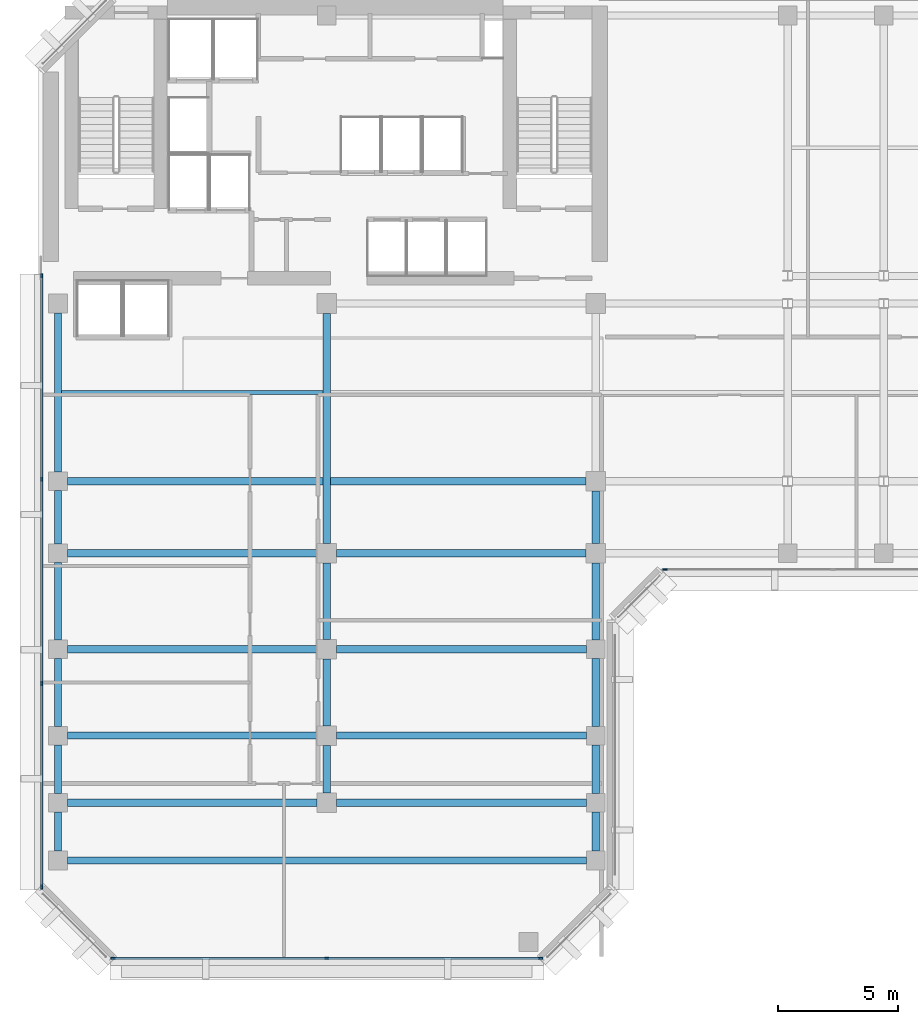
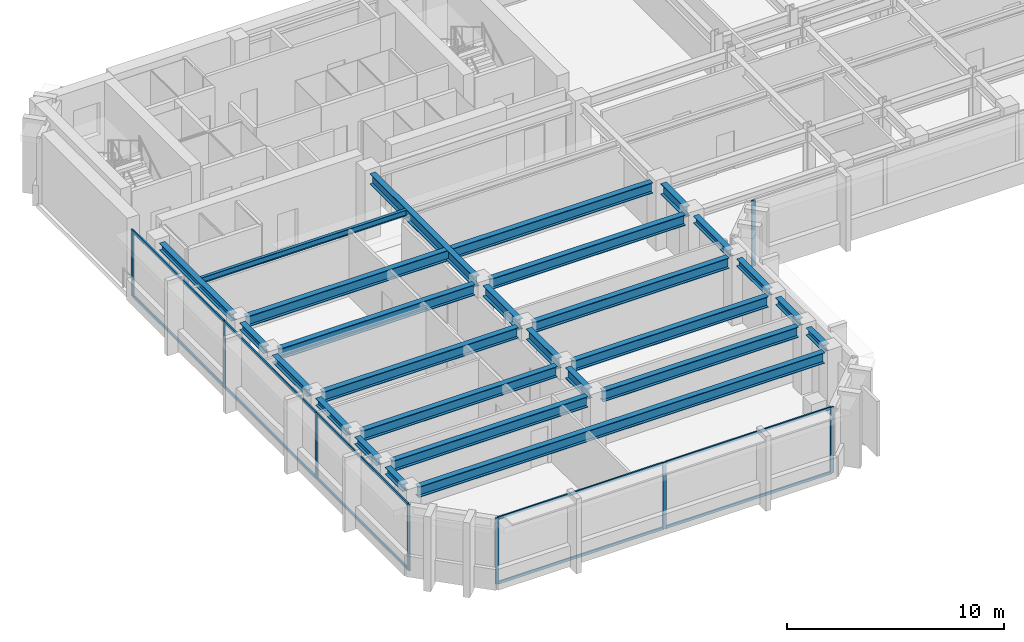
# One storey, part 2 of 12: 26 beams, 18 members, 3 elements without a shape of their own.
"""IFC4 building model written with IfcOpenShell, lengths in metres."""

from ifc_helpers import new_model, si_unit, direction, frame, origin, origin_2d, place, context, subcontext, project, spatial, rectangle, i_section, extrude, material, layer, layer_set, material_profile, profile_set, type_object, element, aggregate, save


model = new_model("IFC4")

# Units and contexts
model_context = context("Model", 3, precision=1e-05, world=origin(), true_north=direction((0.0, 1.0)))
body_context = subcontext(model_context, "Body", "Model", "MODEL_VIEW")
ifc_project = project(units=[si_unit("LENGTHUNIT", "METRE"), si_unit("AREAUNIT", "SQUARE_METRE"), si_unit("VOLUMEUNIT", "CUBIC_METRE"), si_unit("PLANEANGLEUNIT", "RADIAN"), si_unit("MASSUNIT", "GRAM", prefix="KILO")], contexts=[model_context])

# Site, building, storey
site_placement = place(None, origin())
site = spatial("IfcSite", under=ifc_project, at=site_placement, CompositionType="ELEMENT")
building_placement = place(site_placement, origin())
building = spatial("IfcBuilding", under=site, at=building_placement, Name="Kefirva Bronze Tower", CompositionType="ELEMENT")
storey_placement = place(building_placement, frame((0.0, 0.0, 207.239990234375)))
storey = spatial("IfcBuildingStorey", under=building, at=storey_placement, Name="L50", CompositionType="ELEMENT", Elevation=207.239990234375)

# Curtain wall, members
ifc_material_1 = material(Name="Bronze anodised aluminium", Category="aluminium")
ifc_layer = layer(ifc_material_1, 0.179931640625, Name="Bronze anodised aluminium")
ifc_layer_set = layer_set([ifc_layer], Name="Bronze anodised aluminium")
curtain_wall_type = type_object("IfcCurtainWallType", Name="Unitised Bronze Ribbon Curtain Wall Zone 3", PredefinedType="USERDEFINED", material=ifc_layer_set)
curtain_wall_1_placement = place(storey_placement, origin())
curtain_wall_1 = element("IfcCurtainWall", 1, at=curtain_wall_1_placement, inside=storey, type_object=curtain_wall_type, Name="L50 Curtain Wall 1", ObjectType="UNITISED CURTAIN WALL", PredefinedType="USERDEFINED")
ifc_material_profile_1 = material_profile(ifc_material_1, rectangle(XDim=0.074951171875, YDim=0.179931640625, at=origin_2d()), Name="ALU 75x180")
ifc_profile_set_1 = profile_set([ifc_material_profile_1], Name="Bronze anodised aluminium")
member_type_1 = type_object("IfcMemberType", Name="Bronze Mullion 75x180", PredefinedType="MULLION", material=ifc_profile_set_1)
member_1_placement = place(storey_placement, frame((3.092529296875, 5.919921875, 0.0), z_axis=(0.0, 0.0, 1.0), x_axis=(0.0, 1.0, 0.0)))
member_1 = element("IfcMember", 2, at=member_1_placement, type_object=member_type_1, Name="CW-03 mullion 1", PredefinedType="MULLION", context=body_context, shape_type="SweptSolid", body=[
    extrude(rectangle(XDim=0.074951171875, YDim=0.179931640625, at=origin_2d()), origin(), (0.0, 0.0, 1.0), 3.7099609375),
])
member_2_placement = place(storey_placement, frame((12.0, 5.919921875, 0.0), z_axis=(0.0, 0.0, 1.0), x_axis=(0.0, 1.0, 0.0)))
member_2 = element("IfcMember", 3, at=member_2_placement, type_object=member_type_1, Name="CW-03 mullion 2", PredefinedType="MULLION", context=body_context, shape_type="SweptSolid", body=[
    extrude(rectangle(XDim=0.074951171875, YDim=0.179931640625, at=origin_2d()), origin(), (0.0, 0.0, 1.0), 3.7099609375),
])
member_3_placement = place(storey_placement, frame((20.907470703125, 5.919921875, 0.0), z_axis=(0.0, 0.0, 1.0), x_axis=(0.0, 1.0, 0.0)))
member_3 = element("IfcMember", 4, at=member_3_placement, type_object=member_type_1, Name="CW-03 mullion 3", PredefinedType="MULLION", context=body_context, shape_type="SweptSolid", body=[
    extrude(rectangle(XDim=0.074951171875, YDim=0.179931640625, at=origin_2d()), origin(), (0.0, 0.0, 1.0), 3.7099609375),
])

# Curtain wall, member
curtain_wall_2_placement = place(storey_placement, origin())
curtain_wall_2 = element("IfcCurtainWall", 5, at=curtain_wall_2_placement, inside=storey, type_object=curtain_wall_type, Name="L50 Curtain Wall 2", ObjectType="UNITISED CURTAIN WALL", PredefinedType="USERDEFINED")
member_4_placement = place(storey_placement, frame((26.092529296875, 22.1201171875, 0.0), z_axis=(0.0, 0.0, 1.0), x_axis=(0.0, 1.0, 0.0)))
member_4 = element("IfcMember", 6, at=member_4_placement, type_object=member_type_1, Name="CW-03 mullion 1", PredefinedType="MULLION", context=body_context, shape_type="SweptSolid", body=[
    extrude(rectangle(XDim=0.074951171875, YDim=0.179931640625, at=origin_2d()), origin(), (0.0, 0.0, 1.0), 3.7099609375),
])
aggregate(curtain_wall_2, [member_4])

# Curtain wall, members
curtain_wall_3_placement = place(storey_placement, origin())
curtain_wall_3 = element("IfcCurtainWall", 7, at=curtain_wall_3_placement, inside=storey, type_object=curtain_wall_type, Name="L50 Curtain Wall 5", ObjectType="UNITISED CURTAIN WALL", PredefinedType="USERDEFINED")
member_5_placement = place(storey_placement, frame((0.1201171875, 34.357421875, 0.0), z_axis=(0.0, 0.0, 1.0), x_axis=(1.0, 0.0, 0.0)))
member_5 = element("IfcMember", 8, at=member_5_placement, type_object=member_type_1, Name="CW-03 mullion 1", PredefinedType="MULLION", context=body_context, shape_type="SweptSolid", body=[
    extrude(rectangle(XDim=0.074951171875, YDim=0.179931640625, at=origin_2d()), origin(), (0.0, 0.0, 1.0), 3.7099609375),
])
member_6_placement = place(storey_placement, frame((0.1201171875, 25.881591796875, 0.0), z_axis=(0.0, 0.0, 1.0), x_axis=(1.0, 0.0, 0.0)))
member_6 = element("IfcMember", 9, at=member_6_placement, type_object=member_type_1, Name="CW-03 mullion 2", PredefinedType="MULLION", context=body_context, shape_type="SweptSolid", body=[
    extrude(rectangle(XDim=0.074951171875, YDim=0.179931640625, at=origin_2d()), origin(), (0.0, 0.0, 1.0), 3.7099609375),
])
member_7_placement = place(storey_placement, frame((0.1201171875, 17.368408203125, 0.0), z_axis=(0.0, 0.0, 1.0), x_axis=(1.0, 0.0, 0.0)))
member_7 = element("IfcMember", 10, at=member_7_placement, type_object=member_type_1, Name="CW-03 mullion 3", PredefinedType="MULLION", context=body_context, shape_type="SweptSolid", body=[
    extrude(rectangle(XDim=0.074951171875, YDim=0.179931640625, at=origin_2d()), origin(), (0.0, 0.0, 1.0), 3.7099609375),
])
member_8_placement = place(storey_placement, frame((0.1201171875, 8.892578125, 0.0), z_axis=(0.0, 0.0, 1.0), x_axis=(1.0, 0.0, 0.0)))
member_8 = element("IfcMember", 11, at=member_8_placement, type_object=member_type_1, Name="CW-03 mullion 4", PredefinedType="MULLION", context=body_context, shape_type="SweptSolid", body=[
    extrude(rectangle(XDim=0.074951171875, YDim=0.179931640625, at=origin_2d()), origin(), (0.0, 0.0, 1.0), 3.7099609375),
])

# Member
ifc_material_profile_2 = material_profile(ifc_material_1, rectangle(XDim=0.074951171875, YDim=0.14990234375, at=origin_2d()), Name="ALU 75x150")
ifc_profile_set_2 = profile_set([ifc_material_profile_2], Name="Bronze anodised aluminium")
member_type_2 = type_object("IfcMemberType", Name="Bronze Transom 75x150", PredefinedType="USERDEFINED", material=ifc_profile_set_2)
member_9_placement = place(storey_placement, frame((3.1298828125, 5.919921875, 0.03759765625), z_axis=(1.0, 0.0, 0.0), x_axis=(0.0, 1.0, 0.0)))
member_9 = element("IfcMember", 12, at=member_9_placement, type_object=member_type_2, Name="CW-03 transom 1.1", ObjectType="TRANSOM", PredefinedType="USERDEFINED", context=body_context, shape_type="SweptSolid", body=[
    extrude(rectangle(XDim=0.074951171875, YDim=0.14990234375, at=origin_2d()), origin(), (0.0, 0.0, 1.0), 8.83251953125),
])

member_10_placement = place(storey_placement, frame((3.1298828125, 5.919921875, 3.672607421875), z_axis=(1.0, 0.0, 0.0), x_axis=(0.0, 1.0, 0.0)))
member_10 = element("IfcMember", 13, at=member_10_placement, type_object=member_type_2, Name="CW-03 transom 1.2", ObjectType="TRANSOM", PredefinedType="USERDEFINED", context=body_context, shape_type="SweptSolid", body=[
    extrude(rectangle(XDim=0.074951171875, YDim=0.14990234375, at=origin_2d()), origin(), (0.0, 0.0, 1.0), 8.83251953125),
])

member_11_placement = place(storey_placement, frame((12.03759765625, 5.919921875, 0.03759765625), z_axis=(1.0, 0.0, 0.0), x_axis=(0.0, 1.0, 0.0)))
member_11 = element("IfcMember", 14, at=member_11_placement, type_object=member_type_2, Name="CW-03 transom 2.1", ObjectType="TRANSOM", PredefinedType="USERDEFINED", context=body_context, shape_type="SweptSolid", body=[
    extrude(rectangle(XDim=0.074951171875, YDim=0.14990234375, at=origin_2d()), origin(), (0.0, 0.0, 1.0), 8.83251953125),
])

member_12_placement = place(storey_placement, frame((12.03759765625, 5.919921875, 3.672607421875), z_axis=(1.0, 0.0, 0.0), x_axis=(0.0, 1.0, 0.0)))
member_12 = element("IfcMember", 15, at=member_12_placement, type_object=member_type_2, Name="CW-03 transom 2.2", ObjectType="TRANSOM", PredefinedType="USERDEFINED", context=body_context, shape_type="SweptSolid", body=[
    extrude(rectangle(XDim=0.074951171875, YDim=0.14990234375, at=origin_2d()), origin(), (0.0, 0.0, 1.0), 8.83251953125),
])

aggregate(curtain_wall_1, [member_1, member_2, member_3, member_9, member_10, member_11, member_12])

member_13_placement = place(storey_placement, frame((0.1201171875, 34.320068359375, 0.03759765625), z_axis=(0.0, -1.0, 0.0), x_axis=(1.0, 0.0, 0.0)))
member_13 = element("IfcMember", 16, at=member_13_placement, type_object=member_type_2, Name="CW-03 transom 1.1", ObjectType="TRANSOM", PredefinedType="USERDEFINED", context=body_context, shape_type="SweptSolid", body=[
    extrude(rectangle(XDim=0.074951171875, YDim=0.14990234375, at=origin_2d()), origin(), (0.0, 0.0, 1.0), 8.40087890625),
])

member_14_placement = place(storey_placement, frame((0.1201171875, 34.320068359375, 3.672607421875), z_axis=(0.0, -1.0, 0.0), x_axis=(1.0, 0.0, 0.0)))
member_14 = element("IfcMember", 17, at=member_14_placement, type_object=member_type_2, Name="CW-03 transom 1.2", ObjectType="TRANSOM", PredefinedType="USERDEFINED", context=body_context, shape_type="SweptSolid", body=[
    extrude(rectangle(XDim=0.074951171875, YDim=0.14990234375, at=origin_2d()), origin(), (0.0, 0.0, 1.0), 8.40087890625),
])

member_15_placement = place(storey_placement, frame((0.1201171875, 25.84423828125, 0.03759765625), z_axis=(0.0, -1.0, 0.0), x_axis=(1.0, 0.0, 0.0)))
member_15 = element("IfcMember", 18, at=member_15_placement, type_object=member_type_2, Name="CW-03 transom 2.1", ObjectType="TRANSOM", PredefinedType="USERDEFINED", context=body_context, shape_type="SweptSolid", body=[
    extrude(rectangle(XDim=0.074951171875, YDim=0.14990234375, at=origin_2d()), origin(), (0.0, 0.0, 1.0), 8.4384765625),
])

member_16_placement = place(storey_placement, frame((0.1201171875, 25.84423828125, 3.672607421875), z_axis=(0.0, -1.0, 0.0), x_axis=(1.0, 0.0, 0.0)))
member_16 = element("IfcMember", 19, at=member_16_placement, type_object=member_type_2, Name="CW-03 transom 2.2", ObjectType="TRANSOM", PredefinedType="USERDEFINED", context=body_context, shape_type="SweptSolid", body=[
    extrude(rectangle(XDim=0.074951171875, YDim=0.14990234375, at=origin_2d()), origin(), (0.0, 0.0, 1.0), 8.4384765625),
])

member_17_placement = place(storey_placement, frame((0.1201171875, 17.330810546875, 0.03759765625), z_axis=(0.0, -1.0, 0.0), x_axis=(1.0, 0.0, 0.0)))
member_17 = element("IfcMember", 20, at=member_17_placement, type_object=member_type_2, Name="CW-03 transom 3.1", ObjectType="TRANSOM", PredefinedType="USERDEFINED", context=body_context, shape_type="SweptSolid", body=[
    extrude(rectangle(XDim=0.074951171875, YDim=0.14990234375, at=origin_2d()), origin(), (0.0, 0.0, 1.0), 8.40087890625),
])

member_18_placement = place(storey_placement, frame((0.1201171875, 17.330810546875, 3.672607421875), z_axis=(0.0, -1.0, 0.0), x_axis=(1.0, 0.0, 0.0)))
member_18 = element("IfcMember", 21, at=member_18_placement, type_object=member_type_2, Name="CW-03 transom 3.2", ObjectType="TRANSOM", PredefinedType="USERDEFINED", context=body_context, shape_type="SweptSolid", body=[
    extrude(rectangle(XDim=0.074951171875, YDim=0.14990234375, at=origin_2d()), origin(), (0.0, 0.0, 1.0), 8.40087890625),
])

aggregate(curtain_wall_3, [member_5, member_6, member_7, member_8, member_13, member_14, member_15, member_16, member_17, member_18])

# Beams
ifc_material_2 = material(Name="Steel S355", Category="steel")
ifc_material_profile_3 = material_profile(ifc_material_2, i_section(OverallWidth=0.159912109375, OverallDepth=0.330078125, WebThickness=0.007568359375, FlangeThickness=0.011474609375, at=origin_2d()), Name="IPE 330")
ifc_profile_set_3 = profile_set([ifc_material_profile_3], Name="Steel S355")
beam_type_1 = type_object("IfcBeamType", Name="Steel Floor Joist IPE 330", PredefinedType="JOIST", material=ifc_profile_set_3)
beam_1_placement = place(storey_placement, frame((0.949951171875, 29.489990234375, 3.544921875), z_axis=(1.0, 0.0, 0.0), x_axis=(0.0, 1.0, 0.0)))
element("IfcBeam", 22, at=beam_1_placement, inside=storey, type_object=beam_type_1, Name="L50 JST-L50-0-294", PredefinedType="JOIST", context=body_context, shape_type="SweptSolid", body=[
    extrude(i_section(OverallWidth=0.159912109375, OverallDepth=0.330078125, WebThickness=0.007568359375, FlangeThickness=0.011474609375, at=origin_2d()), origin(), (0.0, 0.0, 1.0), 10.900146484375),
])
ifc_material_profile_4 = material_profile(ifc_material_2, i_section(OverallWidth=0.300048828125, OverallDepth=0.60009765625, WebThickness=0.015380859375, FlangeThickness=0.030029296875, at=origin_2d()), Name="HEB 600")
ifc_profile_set_4 = profile_set([ifc_material_profile_4], Name="Steel S355")
beam_type_2 = type_object("IfcBeamType", Name="Steel Girder HEB 600", PredefinedType="USERDEFINED", material=ifc_profile_set_4)
beam_2_placement = place(storey_placement, frame((1.18994140625, 10.0, 3.409912109375), z_axis=(1.0, 0.0, 0.0), x_axis=(0.0, 1.0, 0.0)))
element("IfcBeam", 23, at=beam_2_placement, inside=storey, type_object=beam_type_2, Name="L50 BM-L50-EW-0-100", ObjectType="GIRDER", PredefinedType="USERDEFINED", context=body_context, shape_type="SweptSolid", body=[
    extrude(i_section(OverallWidth=0.300048828125, OverallDepth=0.60009765625, WebThickness=0.015380859375, FlangeThickness=0.030029296875, at=origin_2d()), origin(), (0.0, 0.0, 1.0), 21.6201171875),
])
for number, where, z_axis, x_axis, name in (
    (24, (1.18994140625, 12.39990234375, 3.409912109375), (1.0, 0.0, 0.0), (0.0, 1.0, 0.0), "L50 BM-L50-EW-0-124"),
    (25, (12.409912109375, 12.39990234375, 3.409912109375), (1.0, 0.0, 0.0), (0.0, 1.0, 0.0), "L50 BM-L50-EW-12-124"),
    (26, (1.18994140625, 15.199951171875, 3.409912109375), (1.0, 0.0, 0.0), (0.0, 1.0, 0.0), "L50 BM-L50-EW-0-152"),
    (27, (12.409912109375, 15.199951171875, 3.409912109375), (1.0, 0.0, 0.0), (0.0, 1.0, 0.0), "L50 BM-L50-EW-12-152"),
    (28, (1.18994140625, 18.800048828125, 3.409912109375), (1.0, 0.0, 0.0), (0.0, 1.0, 0.0), "L50 BM-L50-EW-0-188"),
    (29, (12.409912109375, 18.800048828125, 3.409912109375), (1.0, 0.0, 0.0), (0.0, 1.0, 0.0), "L50 BM-L50-EW-12-188"),
    (30, (1.18994140625, 22.800048828125, 3.409912109375), (1.0, 0.0, 0.0), (0.0, 1.0, 0.0), "L50 BM-L50-EW-0-228"),
):
    element("IfcBeam", number, at=place(storey_placement, frame(where, z_axis=z_axis, x_axis=x_axis)), inside=storey, type_object=beam_type_2, Name=name, ObjectType="GIRDER", PredefinedType="USERDEFINED", context=body_context, shape_type="SweptSolid", body=[
        extrude(i_section(OverallWidth=0.300048828125, OverallDepth=0.60009765625, WebThickness=0.015380859375, FlangeThickness=0.030029296875, at=origin_2d()), origin(), (0.0, 0.0, 1.0), 10.400146484375),
    ])
beam_3_placement = place(storey_placement, frame((12.409912109375, 22.800048828125, 3.409912109375), z_axis=(1.0, 0.0, 0.0), x_axis=(0.0, 1.0, 0.0)))
element("IfcBeam", 31, at=beam_3_placement, inside=storey, type_object=beam_type_2, Name="L50 BM-L50-EW-12-228", ObjectType="GIRDER", PredefinedType="USERDEFINED", context=body_context, shape_type="SweptSolid", body=[
    extrude(i_section(OverallWidth=0.300048828125, OverallDepth=0.60009765625, WebThickness=0.015380859375, FlangeThickness=0.030029296875, at=origin_2d()), origin(), (0.0, 0.0, 1.0), 10.380126953125),
])
beam_4_placement = place(storey_placement, frame((1.18994140625, 25.800048828125, 3.409912109375), z_axis=(1.0, 0.0, 0.0), x_axis=(0.0, 1.0, 0.0)))
element("IfcBeam", 32, at=beam_4_placement, inside=storey, type_object=beam_type_2, Name="L50 BM-L50-EW-0-258", ObjectType="GIRDER", PredefinedType="USERDEFINED", context=body_context, shape_type="SweptSolid", body=[
    extrude(i_section(OverallWidth=0.300048828125, OverallDepth=0.60009765625, WebThickness=0.015380859375, FlangeThickness=0.030029296875, at=origin_2d()), origin(), (0.0, 0.0, 1.0), 21.60009765625),
])
beam_5_placement = place(storey_placement, frame((12.0, 12.81005859375, 3.409912109375), z_axis=(0.0, 1.0, 0.0), x_axis=(-1.0, 0.0, 0.0)))
element("IfcBeam", 33, at=beam_5_placement, inside=storey, type_object=beam_type_2, Name="L50 BM-L50-NS-120-12", ObjectType="GIRDER", PredefinedType="USERDEFINED", context=body_context, shape_type="SweptSolid", body=[
    extrude(i_section(OverallWidth=0.300048828125, OverallDepth=0.60009765625, WebThickness=0.015380859375, FlangeThickness=0.030029296875, at=origin_2d()), origin(), (0.0, 0.0, 1.0), 1.97998046875),
])
beam_6_placement = place(storey_placement, frame((12.0, 15.610107421875, 3.409912109375), z_axis=(0.0, 1.0, 0.0), x_axis=(-1.0, 0.0, 0.0)))
element("IfcBeam", 34, at=beam_6_placement, inside=storey, type_object=beam_type_2, Name="L50 BM-L50-NS-120-15", ObjectType="GIRDER", PredefinedType="USERDEFINED", context=body_context, shape_type="SweptSolid", body=[
    extrude(i_section(OverallWidth=0.300048828125, OverallDepth=0.60009765625, WebThickness=0.015380859375, FlangeThickness=0.030029296875, at=origin_2d()), origin(), (0.0, 0.0, 1.0), 2.77978515625),
])
beam_7_placement = place(storey_placement, frame((12.0, 19.2099609375, 3.409912109375), z_axis=(0.0, 1.0, 0.0), x_axis=(-1.0, 0.0, 0.0)))
element("IfcBeam", 35, at=beam_7_placement, inside=storey, type_object=beam_type_2, Name="L50 BM-L50-NS-120-18", ObjectType="GIRDER", PredefinedType="USERDEFINED", context=body_context, shape_type="SweptSolid", body=[
    extrude(i_section(OverallWidth=0.300048828125, OverallDepth=0.60009765625, WebThickness=0.015380859375, FlangeThickness=0.030029296875, at=origin_2d()), origin(), (0.0, 0.0, 1.0), 3.179931640625),
])
beam_8_placement = place(storey_placement, frame((12.0, 23.2099609375, 3.409912109375), z_axis=(0.0, 1.0, 0.0), x_axis=(-1.0, 0.0, 0.0)))
element("IfcBeam", 36, at=beam_8_placement, inside=storey, type_object=beam_type_2, Name="L50 BM-L50-NS-120-22", ObjectType="GIRDER", PredefinedType="USERDEFINED", context=body_context, shape_type="SweptSolid", body=[
    extrude(i_section(OverallWidth=0.300048828125, OverallDepth=0.60009765625, WebThickness=0.015380859375, FlangeThickness=0.030029296875, at=origin_2d()), origin(), (0.0, 0.0, 1.0), 9.580078125),
])
beam_9_placement = place(storey_placement, frame((23.199951171875, 23.2099609375, 3.409912109375), z_axis=(0.0, 1.0, 0.0), x_axis=(-1.0, 0.0, 0.0)))
element("IfcBeam", 37, at=beam_9_placement, inside=storey, type_object=beam_type_2, Name="L50 BM-L50-NS-232-22", ObjectType="GIRDER", PredefinedType="USERDEFINED", context=body_context, shape_type="SweptSolid", body=[
    extrude(i_section(OverallWidth=0.300048828125, OverallDepth=0.60009765625, WebThickness=0.015380859375, FlangeThickness=0.030029296875, at=origin_2d()), origin(), (0.0, 0.0, 1.0), 2.179931640625),
])
ifc_material_profile_5 = material_profile(ifc_material_2, i_section(OverallWidth=0.300048828125, OverallDepth=0.39990234375, WebThickness=0.013427734375, FlangeThickness=0.02392578125, at=origin_2d()), Name="HEB 400")
ifc_profile_set_5 = profile_set([ifc_material_profile_5], Name="Steel S355")
beam_type_3 = type_object("IfcBeamType", Name="Steel Spandrel HEB 400 Ext", PredefinedType="SPANDREL", material=ifc_profile_set_5)
beam_10_placement = place(storey_placement, frame((0.800048828125, 10.389892578125, 3.510009765625), z_axis=(0.0, 1.0, 0.0), x_axis=(-1.0, 0.0, 0.0)))
element("IfcBeam", 38, at=beam_10_placement, inside=storey, type_object=beam_type_3, Name="L50 BM-L50-NS-8-10", PredefinedType="SPANDREL", context=body_context, shape_type="SweptSolid", body=[
    extrude(i_section(OverallWidth=0.300048828125, OverallDepth=0.39990234375, WebThickness=0.013427734375, FlangeThickness=0.02392578125, at=origin_2d()), origin(), (0.0, 0.0, 1.0), 1.6201171875),
])
beam_11_placement = place(storey_placement, frame((0.800048828125, 12.7900390625, 3.510009765625), z_axis=(0.0, 1.0, 0.0), x_axis=(-1.0, 0.0, 0.0)))
element("IfcBeam", 39, at=beam_11_placement, inside=storey, type_object=beam_type_3, Name="L50 BM-L50-NS-8-12", PredefinedType="SPANDREL", context=body_context, shape_type="SweptSolid", body=[
    extrude(i_section(OverallWidth=0.300048828125, OverallDepth=0.39990234375, WebThickness=0.013427734375, FlangeThickness=0.02392578125, at=origin_2d()), origin(), (0.0, 0.0, 1.0), 2.02001953125),
])
beam_12_placement = place(storey_placement, frame((0.800048828125, 15.590087890625, 3.510009765625), z_axis=(0.0, 1.0, 0.0), x_axis=(-1.0, 0.0, 0.0)))
element("IfcBeam", 40, at=beam_12_placement, inside=storey, type_object=beam_type_3, Name="L50 BM-L50-NS-8-15", PredefinedType="SPANDREL", context=body_context, shape_type="SweptSolid", body=[
    extrude(i_section(OverallWidth=0.300048828125, OverallDepth=0.39990234375, WebThickness=0.013427734375, FlangeThickness=0.02392578125, at=origin_2d()), origin(), (0.0, 0.0, 1.0), 2.81982421875),
])
beam_13_placement = place(storey_placement, frame((0.800048828125, 19.18994140625, 3.510009765625), z_axis=(0.0, 1.0, 0.0), x_axis=(-1.0, 0.0, 0.0)))
element("IfcBeam", 41, at=beam_13_placement, inside=storey, type_object=beam_type_3, Name="L50 BM-L50-NS-8-18", PredefinedType="SPANDREL", context=body_context, shape_type="SweptSolid", body=[
    extrude(i_section(OverallWidth=0.300048828125, OverallDepth=0.39990234375, WebThickness=0.013427734375, FlangeThickness=0.02392578125, at=origin_2d()), origin(), (0.0, 0.0, 1.0), 3.219970703125),
])
beam_14_placement = place(storey_placement, frame((0.800048828125, 23.18994140625, 3.510009765625), z_axis=(0.0, 1.0, 0.0), x_axis=(-1.0, 0.0, 0.0)))
element("IfcBeam", 42, at=beam_14_placement, inside=storey, type_object=beam_type_3, Name="L50 BM-L50-NS-8-22", PredefinedType="SPANDREL", context=body_context, shape_type="SweptSolid", body=[
    extrude(i_section(OverallWidth=0.300048828125, OverallDepth=0.39990234375, WebThickness=0.013427734375, FlangeThickness=0.02392578125, at=origin_2d()), origin(), (0.0, 0.0, 1.0), 2.219970703125),
])
beam_15_placement = place(storey_placement, frame((0.800048828125, 26.18994140625, 3.510009765625), z_axis=(0.0, 1.0, 0.0), x_axis=(-1.0, 0.0, 0.0)))
element("IfcBeam", 43, at=beam_15_placement, inside=storey, type_object=beam_type_3, Name="L50 BM-L50-NS-8-25", PredefinedType="SPANDREL", context=body_context, shape_type="SweptSolid", body=[
    extrude(i_section(OverallWidth=0.300048828125, OverallDepth=0.39990234375, WebThickness=0.013427734375, FlangeThickness=0.02392578125, at=origin_2d()), origin(), (0.0, 0.0, 1.0), 6.6201171875),
])
beam_16_placement = place(storey_placement, frame((23.199951171875, 10.389892578125, 3.510009765625), z_axis=(0.0, 1.0, 0.0), x_axis=(-1.0, 0.0, 0.0)))
element("IfcBeam", 44, at=beam_16_placement, inside=storey, type_object=beam_type_3, Name="L50 BM-L50-NS-232-10", PredefinedType="SPANDREL", context=body_context, shape_type="SweptSolid", body=[
    extrude(i_section(OverallWidth=0.300048828125, OverallDepth=0.39990234375, WebThickness=0.013427734375, FlangeThickness=0.02392578125, at=origin_2d()), origin(), (0.0, 0.0, 1.0), 1.6201171875),
])
beam_17_placement = place(storey_placement, frame((23.199951171875, 12.7900390625, 3.510009765625), z_axis=(0.0, 1.0, 0.0), x_axis=(-1.0, 0.0, 0.0)))
element("IfcBeam", 45, at=beam_17_placement, inside=storey, type_object=beam_type_3, Name="L50 BM-L50-NS-232-12", PredefinedType="SPANDREL", context=body_context, shape_type="SweptSolid", body=[
    extrude(i_section(OverallWidth=0.300048828125, OverallDepth=0.39990234375, WebThickness=0.013427734375, FlangeThickness=0.02392578125, at=origin_2d()), origin(), (0.0, 0.0, 1.0), 2.02001953125),
])
beam_18_placement = place(storey_placement, frame((23.199951171875, 15.590087890625, 3.510009765625), z_axis=(0.0, 1.0, 0.0), x_axis=(-1.0, 0.0, 0.0)))
element("IfcBeam", 46, at=beam_18_placement, inside=storey, type_object=beam_type_3, Name="L50 BM-L50-NS-232-15", PredefinedType="SPANDREL", context=body_context, shape_type="SweptSolid", body=[
    extrude(i_section(OverallWidth=0.300048828125, OverallDepth=0.39990234375, WebThickness=0.013427734375, FlangeThickness=0.02392578125, at=origin_2d()), origin(), (0.0, 0.0, 1.0), 2.81982421875),
])
beam_19_placement = place(storey_placement, frame((23.199951171875, 19.18994140625, 3.510009765625), z_axis=(0.0, 1.0, 0.0), x_axis=(-1.0, 0.0, 0.0)))
element("IfcBeam", 47, at=beam_19_placement, inside=storey, type_object=beam_type_3, Name="L50 BM-L50-NS-232-18", PredefinedType="SPANDREL", context=body_context, shape_type="SweptSolid", body=[
    extrude(i_section(OverallWidth=0.300048828125, OverallDepth=0.39990234375, WebThickness=0.013427734375, FlangeThickness=0.02392578125, at=origin_2d()), origin(), (0.0, 0.0, 1.0), 3.199951171875),
])

save(model, "model.ifc")
